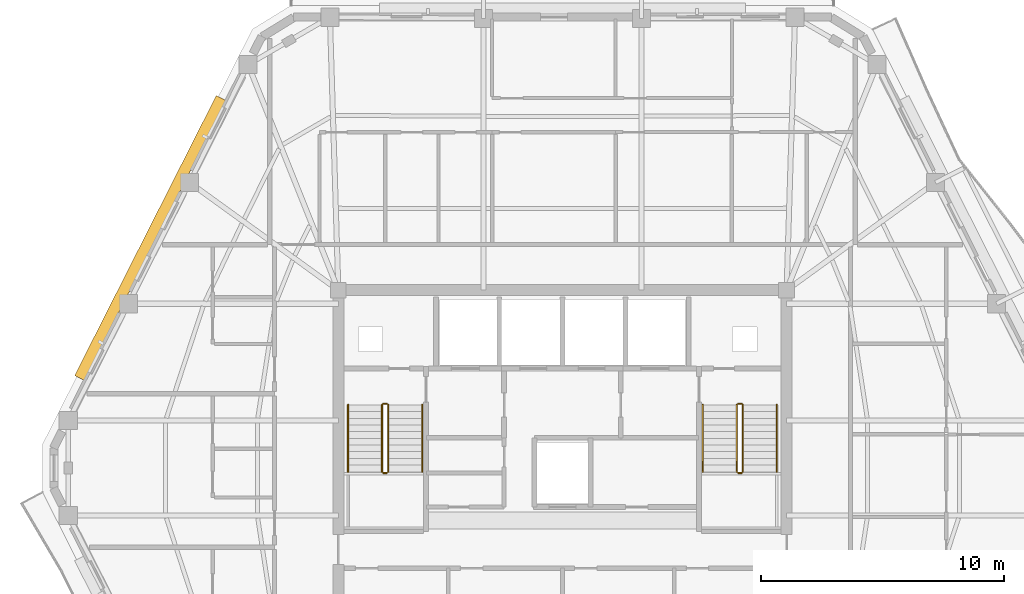
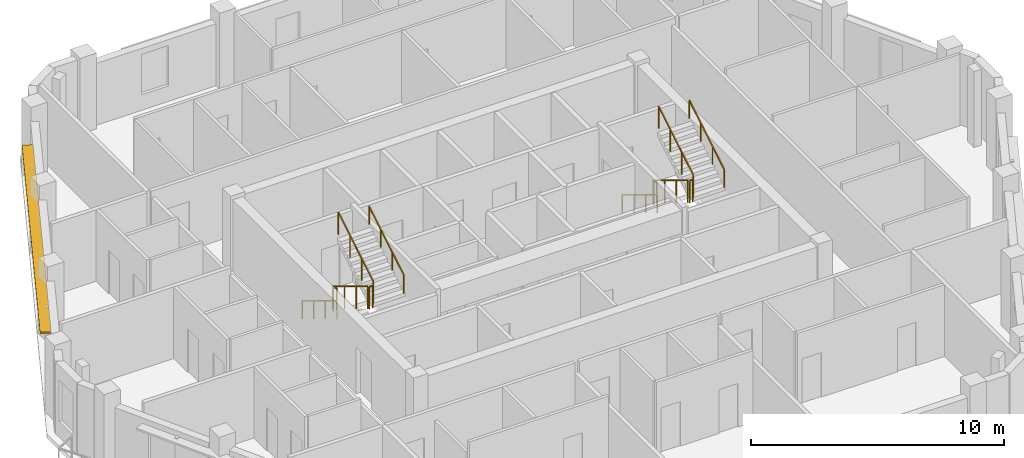
# One storey, part 10 of 11: 12 railings, 1 shading device.
"""IFC4 building model written with IfcOpenShell, lengths in metres."""

from ifc_helpers import new_model, si_unit, direction, frame, origin, origin_2d, place, context, subcontext, project, spatial, rectangle, extrude, material, layer, layer_set, type_object, element, save


model = new_model("IFC4")

# Units and contexts
model_context = context("Model", 3, precision=1e-05, world=origin(), true_north=direction((0.0, 1.0)))
body_context = subcontext(model_context, "Body", "Model", "MODEL_VIEW")
ifc_project = project(units=[si_unit("LENGTHUNIT", "METRE"), si_unit("AREAUNIT", "SQUARE_METRE"), si_unit("VOLUMEUNIT", "CUBIC_METRE"), si_unit("PLANEANGLEUNIT", "RADIAN"), si_unit("MASSUNIT", "GRAM", prefix="KILO")], contexts=[model_context])

# Site, building, storey
site_placement = place(None, origin())
site = spatial("IfcSite", under=ifc_project, at=site_placement, CompositionType="ELEMENT")
building_placement = place(site_placement, origin())
building = spatial("IfcBuilding", under=site, at=building_placement, Name="Cinnabar Lancet Tower", CompositionType="ELEMENT")
storey_placement = place(building_placement, frame((0.0, 0.0, 245.25)))
storey = spatial("IfcBuildingStorey", under=building, at=storey_placement, Name="L65", CompositionType="ELEMENT", Elevation=245.25)

# Shading device
ifc_material_1 = material(Name="Pale limestone architectural aluminium sunshade", Category="masonry")
ifc_layer = layer(ifc_material_1, 0.080078125)
ifc_layer_set = layer_set([ifc_layer], Name="Pale limestone architectural aluminium sunshade")
shading_device_type = type_object("IfcShadingDeviceType", Name="ENV-SHD-LVR-450", PredefinedType="JALOUSIE", material=ifc_layer_set)
shading_device_placement = place(storey_placement, frame((15.43603515625, 35.27001953125, 2.639892578125), z_axis=(0.0, 0.0, 1.0), x_axis=(-0.451375984307, -0.89233386173, 0.0)))
element("IfcShadingDevice", 1, at=shading_device_placement, inside=storey, type_object=shading_device_type, Name="L65 Face 5 Horizontal Sunshade Canopy", PredefinedType="JALOUSIE", context=body_context, shape_type="SweptSolid", body=[
    extrude(rectangle(XDim=12.912109375, YDim=0.449951171875, at=origin_2d()), origin(), (0.0, 0.0, 1.0), 0.080078125),
])

# Railings
ifc_material_2 = material(Name="Painted galvanized steel balustrade", Category="steel")
railing_type_1 = type_object("IfcRailingType", Name="GUARD-STAIR", PredefinedType="GUARDRAIL", material=ifc_material_2)
railing_1_placement = place(storey_placement, frame((24.97509765625, 28.39990234375, 0.166015625)))
element("IfcRailing", 2, at=railing_1_placement, inside=storey, type_object=railing_type_1, Name="L65 ST-1 stair guard 1", PredefinedType="GUARDRAIL", context=body_context, shape_type="SweptSolid", body=[
    extrude(rectangle(XDim=0.048095703125, YDim=0.048095703125, at=origin_2d()), frame((0.0, 0.0, 1.076171875), z_axis=(0.0, -0.856263023582, 0.516540060834), x_axis=(1.0, 0.0, 0.0)), (0.0, 0.0, 1.0), 3.211669921875),
    extrude(rectangle(XDim=0.0419921875, YDim=0.0419921875, at=origin_2d()), origin(), (0.0, 0.0, 1.0), 1.052001953125),
    extrude(rectangle(XDim=0.0419921875, YDim=0.0419921875, at=origin_2d()), frame((0.0, -0.916748046875, 0.552978515625)), (0.0, 0.0, 1.0), 1.052001953125),
    extrude(rectangle(XDim=0.0419921875, YDim=0.0419921875, at=origin_2d()), frame((0.0, -1.833251953125, 1.10595703125)), (0.0, 0.0, 1.0), 1.052001953125),
    extrude(rectangle(XDim=0.0419921875, YDim=0.0419921875, at=origin_2d()), frame((0.0, -2.75, 1.658935546875)), (0.0, 0.0, 1.0), 1.052001953125),
])
railing_2_placement = place(storey_placement, frame((25.02490234375, 25.60009765625, 1.824951171875)))
element("IfcRailing", 3, at=railing_2_placement, inside=storey, type_object=railing_type_1, Name="L65 ST-1 stair guard 2", PredefinedType="GUARDRAIL", context=body_context, shape_type="SweptSolid", body=[
    extrude(rectangle(XDim=0.048095703125, YDim=0.048095703125, at=origin_2d()), frame((0.0, 0.0, 1.076171875), z_axis=(1.0, 0.0, 0.0), x_axis=(0.0, 1.0, 0.0)), (0.0, 0.0, 1.0), 0.150146484375),
    extrude(rectangle(XDim=0.0419921875, YDim=0.0419921875, at=origin_2d()), origin(), (0.0, 0.0, 1.0), 1.052001953125),
    extrude(rectangle(XDim=0.0419921875, YDim=0.0419921875, at=origin_2d()), frame((0.150146484375, 0.0, 0.0)), (0.0, 0.0, 1.0), 1.052001953125),
])
railing_3_placement = place(storey_placement, frame((25.22509765625, 25.64990234375, 1.990966796875)))
element("IfcRailing", 4, at=railing_3_placement, inside=storey, type_object=railing_type_1, Name="L65 ST-1 stair guard 3", PredefinedType="GUARDRAIL", context=body_context, shape_type="SweptSolid", body=[
    extrude(rectangle(XDim=0.048095703125, YDim=0.048095703125, at=origin_2d()), frame((0.0, 0.0, 1.076171875), z_axis=(0.0, 0.856263023582, 0.516540060834), x_axis=(-1.0, 0.0, 0.0)), (0.0, 0.0, 1.0), 3.211669921875),
    extrude(rectangle(XDim=0.0419921875, YDim=0.0419921875, at=origin_2d()), origin(), (0.0, 0.0, 1.0), 1.052001953125),
    extrude(rectangle(XDim=0.0419921875, YDim=0.0419921875, at=origin_2d()), frame((0.0, 0.916748046875, 0.552978515625)), (0.0, 0.0, 1.0), 1.052001953125),
    extrude(rectangle(XDim=0.0419921875, YDim=0.0419921875, at=origin_2d()), frame((0.0, 1.833251953125, 1.10595703125)), (0.0, 0.0, 1.0), 1.052001953125),
    extrude(rectangle(XDim=0.0419921875, YDim=0.0419921875, at=origin_2d()), frame((0.0, 2.75, 1.658935546875)), (0.0, 0.0, 1.0), 1.052001953125),
])
railing_4_placement = place(storey_placement, frame((25.02490234375, 28.449951171875, 0.0)))
element("IfcRailing", 5, at=railing_4_placement, inside=storey, type_object=railing_type_1, Name="L65 ST-1 stair guard 4", PredefinedType="GUARDRAIL", context=body_context, shape_type="SweptSolid", body=[
    extrude(rectangle(XDim=0.048095703125, YDim=0.048095703125, at=origin_2d()), frame((0.0, 0.0, 1.076171875), z_axis=(1.0, 0.0, 0.0), x_axis=(0.0, 1.0, 0.0)), (0.0, 0.0, 1.0), 0.150146484375),
    extrude(rectangle(XDim=0.0419921875, YDim=0.0419921875, at=origin_2d()), origin(), (0.0, 0.0, 1.0), 1.052001953125),
    extrude(rectangle(XDim=0.0419921875, YDim=0.0419921875, at=origin_2d()), frame((0.150146484375, 0.0, 0.0)), (0.0, 0.0, 1.0), 1.052001953125),
])
railing_5_placement = place(storey_placement, frame((39.574951171875, 28.39990234375, 0.166015625)))
element("IfcRailing", 6, at=railing_5_placement, inside=storey, type_object=railing_type_1, Name="L65 ST-2 stair guard 1", PredefinedType="GUARDRAIL", context=body_context, shape_type="SweptSolid", body=[
    extrude(rectangle(XDim=0.048095703125, YDim=0.048095703125, at=origin_2d()), frame((0.0, 0.0, 1.076171875), z_axis=(0.0, -0.856263023582, 0.516540060834), x_axis=(1.0, 0.0, 0.0)), (0.0, 0.0, 1.0), 3.211669921875),
    extrude(rectangle(XDim=0.0419921875, YDim=0.0419921875, at=origin_2d()), origin(), (0.0, 0.0, 1.0), 1.052001953125),
    extrude(rectangle(XDim=0.0419921875, YDim=0.0419921875, at=origin_2d()), frame((0.0, -0.916748046875, 0.552978515625)), (0.0, 0.0, 1.0), 1.052001953125),
    extrude(rectangle(XDim=0.0419921875, YDim=0.0419921875, at=origin_2d()), frame((0.0, -1.833251953125, 1.10595703125)), (0.0, 0.0, 1.0), 1.052001953125),
    extrude(rectangle(XDim=0.0419921875, YDim=0.0419921875, at=origin_2d()), frame((0.0, -2.75, 1.658935546875)), (0.0, 0.0, 1.0), 1.052001953125),
])
railing_6_placement = place(storey_placement, frame((39.625, 25.60009765625, 1.824951171875)))
element("IfcRailing", 7, at=railing_6_placement, inside=storey, type_object=railing_type_1, Name="L65 ST-2 stair guard 2", PredefinedType="GUARDRAIL", context=body_context, shape_type="SweptSolid", body=[
    extrude(rectangle(XDim=0.048095703125, YDim=0.048095703125, at=origin_2d()), frame((0.0, 0.0, 1.076171875), z_axis=(1.0, 0.0, 0.0), x_axis=(0.0, 1.0, 0.0)), (0.0, 0.0, 1.0), 0.14990234375),
    extrude(rectangle(XDim=0.0419921875, YDim=0.0419921875, at=origin_2d()), origin(), (0.0, 0.0, 1.0), 1.052001953125),
    extrude(rectangle(XDim=0.0419921875, YDim=0.0419921875, at=origin_2d()), frame((0.14990234375, 0.0, 0.0)), (0.0, 0.0, 1.0), 1.052001953125),
])
railing_7_placement = place(storey_placement, frame((39.824951171875, 25.64990234375, 1.990966796875)))
element("IfcRailing", 8, at=railing_7_placement, inside=storey, type_object=railing_type_1, Name="L65 ST-2 stair guard 3", PredefinedType="GUARDRAIL", context=body_context, shape_type="SweptSolid", body=[
    extrude(rectangle(XDim=0.048095703125, YDim=0.048095703125, at=origin_2d()), frame((0.0, 0.0, 1.076171875), z_axis=(0.0, 0.856263023582, 0.516540060834), x_axis=(-1.0, 0.0, 0.0)), (0.0, 0.0, 1.0), 3.211669921875),
    extrude(rectangle(XDim=0.0419921875, YDim=0.0419921875, at=origin_2d()), origin(), (0.0, 0.0, 1.0), 1.052001953125),
    extrude(rectangle(XDim=0.0419921875, YDim=0.0419921875, at=origin_2d()), frame((0.0, 0.916748046875, 0.552978515625)), (0.0, 0.0, 1.0), 1.052001953125),
    extrude(rectangle(XDim=0.0419921875, YDim=0.0419921875, at=origin_2d()), frame((0.0, 1.833251953125, 1.10595703125)), (0.0, 0.0, 1.0), 1.052001953125),
    extrude(rectangle(XDim=0.0419921875, YDim=0.0419921875, at=origin_2d()), frame((0.0, 2.75, 1.658935546875)), (0.0, 0.0, 1.0), 1.052001953125),
])
railing_8_placement = place(storey_placement, frame((39.625, 28.449951171875, 0.0)))
element("IfcRailing", 9, at=railing_8_placement, inside=storey, type_object=railing_type_1, Name="L65 ST-2 stair guard 4", PredefinedType="GUARDRAIL", context=body_context, shape_type="SweptSolid", body=[
    extrude(rectangle(XDim=0.048095703125, YDim=0.048095703125, at=origin_2d()), frame((0.0, 0.0, 1.076171875), z_axis=(1.0, 0.0, 0.0), x_axis=(0.0, 1.0, 0.0)), (0.0, 0.0, 1.0), 0.14990234375),
    extrude(rectangle(XDim=0.0419921875, YDim=0.0419921875, at=origin_2d()), origin(), (0.0, 0.0, 1.0), 1.052001953125),
    extrude(rectangle(XDim=0.0419921875, YDim=0.0419921875, at=origin_2d()), frame((0.14990234375, 0.0, 0.0)), (0.0, 0.0, 1.0), 1.052001953125),
])
ifc_material_3 = material(Name="Brushed stainless steel handrail", Category="steel")
railing_type_2 = type_object("IfcRailingType", Name="HANDRAIL-STAIR", PredefinedType="HANDRAIL", material=ifc_material_3)
railing_9_placement = place(storey_placement, frame((23.574951171875, 28.39990234375, 0.166015625)))
element("IfcRailing", 10, at=railing_9_placement, inside=storey, type_object=railing_type_2, Name="L65 ST-1 stair handrail 1", PredefinedType="HANDRAIL", context=body_context, shape_type="SweptSolid", body=[
    extrude(rectangle(XDim=0.048095703125, YDim=0.048095703125, at=origin_2d()), frame((0.0, 0.0, 0.8759765625), z_axis=(0.0, -0.856263023582, 0.516540060834), x_axis=(1.0, 0.0, 0.0)), (0.0, 0.0, 1.0), 3.211669921875),
    extrude(rectangle(XDim=0.0419921875, YDim=0.0419921875, at=origin_2d()), origin(), (0.0, 0.0, 1.0), 0.851806640625),
    extrude(rectangle(XDim=0.0419921875, YDim=0.0419921875, at=origin_2d()), frame((0.0, -0.916748046875, 0.552978515625)), (0.0, 0.0, 1.0), 0.851806640625),
    extrude(rectangle(XDim=0.0419921875, YDim=0.0419921875, at=origin_2d()), frame((0.0, -1.833251953125, 1.10595703125)), (0.0, 0.0, 1.0), 0.851806640625),
    extrude(rectangle(XDim=0.0419921875, YDim=0.0419921875, at=origin_2d()), frame((0.0, -2.75, 1.658935546875)), (0.0, 0.0, 1.0), 0.851806640625),
])
railing_10_placement = place(storey_placement, frame((26.625, 25.64990234375, 1.990966796875)))
element("IfcRailing", 11, at=railing_10_placement, inside=storey, type_object=railing_type_2, Name="L65 ST-1 stair handrail 2", PredefinedType="HANDRAIL", context=body_context, shape_type="SweptSolid", body=[
    extrude(rectangle(XDim=0.048095703125, YDim=0.048095703125, at=origin_2d()), frame((0.0, 0.0, 0.8759765625), z_axis=(0.0, 0.856263023582, 0.516540060834), x_axis=(-1.0, 0.0, 0.0)), (0.0, 0.0, 1.0), 3.211669921875),
    extrude(rectangle(XDim=0.0419921875, YDim=0.0419921875, at=origin_2d()), origin(), (0.0, 0.0, 1.0), 0.851806640625),
    extrude(rectangle(XDim=0.0419921875, YDim=0.0419921875, at=origin_2d()), frame((0.0, 0.916748046875, 0.552978515625)), (0.0, 0.0, 1.0), 0.851806640625),
    extrude(rectangle(XDim=0.0419921875, YDim=0.0419921875, at=origin_2d()), frame((0.0, 1.833251953125, 1.10595703125)), (0.0, 0.0, 1.0), 0.851806640625),
    extrude(rectangle(XDim=0.0419921875, YDim=0.0419921875, at=origin_2d()), frame((0.0, 2.75, 1.658935546875)), (0.0, 0.0, 1.0), 0.851806640625),
])
railing_11_placement = place(storey_placement, frame((38.175048828125, 28.39990234375, 0.166015625)))
element("IfcRailing", 12, at=railing_11_placement, inside=storey, type_object=railing_type_2, Name="L65 ST-2 stair handrail 1", PredefinedType="HANDRAIL", context=body_context, shape_type="SweptSolid", body=[
    extrude(rectangle(XDim=0.048095703125, YDim=0.048095703125, at=origin_2d()), frame((0.0, 0.0, 0.8759765625), z_axis=(0.0, -0.856263023582, 0.516540060834), x_axis=(1.0, 0.0, 0.0)), (0.0, 0.0, 1.0), 3.211669921875),
    extrude(rectangle(XDim=0.0419921875, YDim=0.0419921875, at=origin_2d()), origin(), (0.0, 0.0, 1.0), 0.851806640625),
    extrude(rectangle(XDim=0.0419921875, YDim=0.0419921875, at=origin_2d()), frame((0.0, -0.916748046875, 0.552978515625)), (0.0, 0.0, 1.0), 0.851806640625),
    extrude(rectangle(XDim=0.0419921875, YDim=0.0419921875, at=origin_2d()), frame((0.0, -1.833251953125, 1.10595703125)), (0.0, 0.0, 1.0), 0.851806640625),
    extrude(rectangle(XDim=0.0419921875, YDim=0.0419921875, at=origin_2d()), frame((0.0, -2.75, 1.658935546875)), (0.0, 0.0, 1.0), 0.851806640625),
])
railing_12_placement = place(storey_placement, frame((41.22509765625, 25.64990234375, 1.990966796875)))
element("IfcRailing", 13, at=railing_12_placement, inside=storey, type_object=railing_type_2, Name="L65 ST-2 stair handrail 2", PredefinedType="HANDRAIL", context=body_context, shape_type="SweptSolid", body=[
    extrude(rectangle(XDim=0.048095703125, YDim=0.048095703125, at=origin_2d()), frame((0.0, 0.0, 0.8759765625), z_axis=(0.0, 0.856263023582, 0.516540060834), x_axis=(-1.0, 0.0, 0.0)), (0.0, 0.0, 1.0), 3.211669921875),
    extrude(rectangle(XDim=0.0419921875, YDim=0.0419921875, at=origin_2d()), origin(), (0.0, 0.0, 1.0), 0.851806640625),
    extrude(rectangle(XDim=0.0419921875, YDim=0.0419921875, at=origin_2d()), frame((0.0, 0.916748046875, 0.552978515625)), (0.0, 0.0, 1.0), 0.851806640625),
    extrude(rectangle(XDim=0.0419921875, YDim=0.0419921875, at=origin_2d()), frame((0.0, 1.833251953125, 1.10595703125)), (0.0, 0.0, 1.0), 0.851806640625),
    extrude(rectangle(XDim=0.0419921875, YDim=0.0419921875, at=origin_2d()), frame((0.0, 2.75, 1.658935546875)), (0.0, 0.0, 1.0), 0.851806640625),
])

save(model, "model.ifc")
